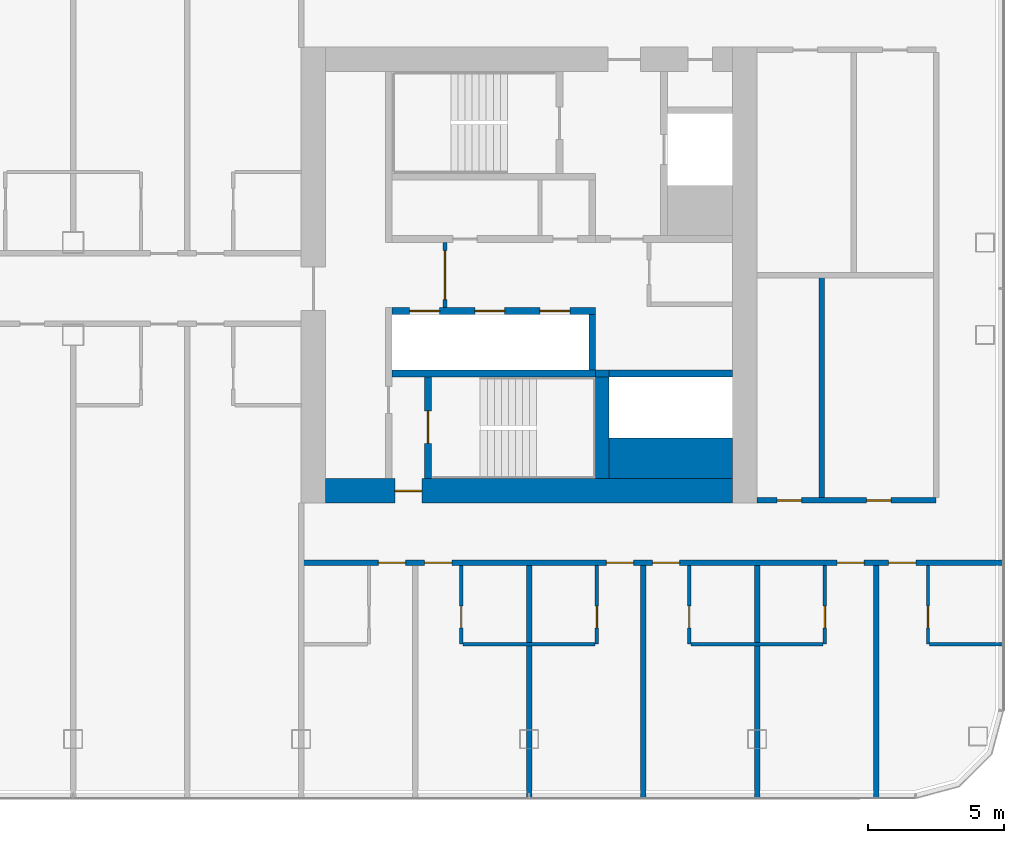
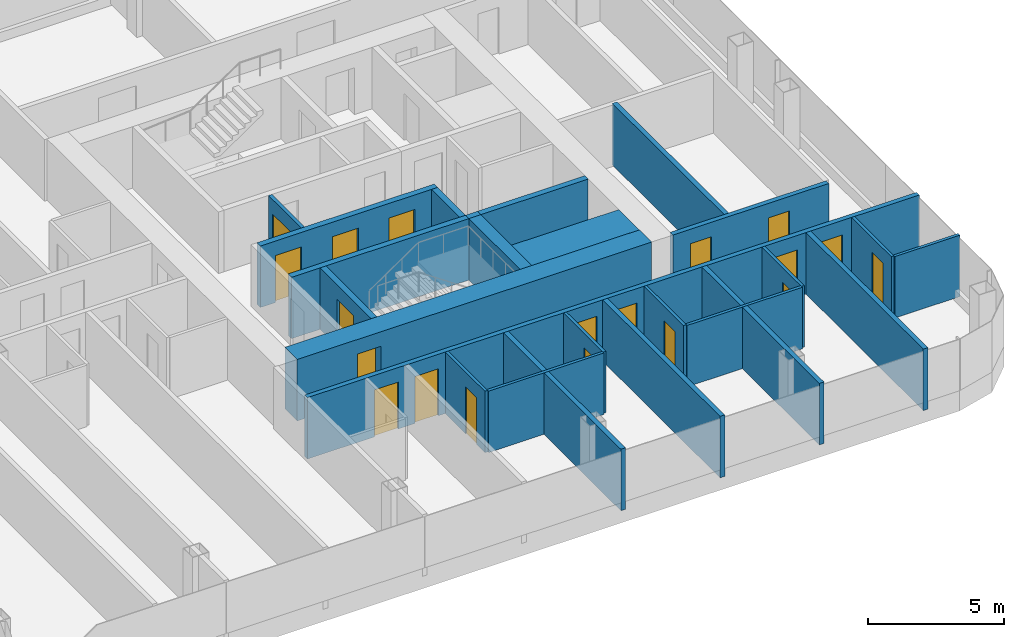
# One storey, part 16 of 26: 25 walls, 19 doors, 19 openings.
"""IFC4 building model written with IfcOpenShell, lengths in metres."""

from ifc_helpers import new_model, si_unit, direction, frame, frame_2d, origin, place, context, subcontext, project, spatial, rectangle, extrude, material, layer, layer_set, type_object, element, fill, save


model = new_model("IFC4")

# Units and contexts
model_context = context("Model", 3, precision=1e-05, world=origin(), true_north=direction((0.0, 1.0)))
body_context = subcontext(model_context, "Body", "Model", "MODEL_VIEW")
ifc_project = project(units=[si_unit("LENGTHUNIT", "METRE"), si_unit("AREAUNIT", "SQUARE_METRE"), si_unit("VOLUMEUNIT", "CUBIC_METRE"), si_unit("PLANEANGLEUNIT", "RADIAN"), si_unit("MASSUNIT", "GRAM", prefix="KILO")], contexts=[model_context])

# Site, building, storey
site_placement = place(None, origin())
site = spatial("IfcSite", under=ifc_project, at=site_placement, CompositionType="ELEMENT")
building_placement = place(site_placement, origin())
building = spatial("IfcBuilding", under=site, at=building_placement, Name="Hakoniwa Tower and Hamabe Station Hall", CompositionType="ELEMENT")
storey_placement = place(building_placement, frame((0.0, 0.0, 134.199951171875)))
storey = spatial("IfcBuildingStorey", under=building, at=storey_placement, Name="L37", CompositionType="ELEMENT", Elevation=134.199951171875)

# Walls
ifc_material_1 = material(Name="Gypsum board partition", Category="gypsum")
ifc_layer_1 = layer(ifc_material_1, 0.125)
ifc_layer_set_1 = layer_set([ifc_layer_1], Name="Bathroom Partition 125")
wall_type_1 = type_object("IfcWallType", Name="Bathroom Partition 125", PredefinedType="PARTITIONING", material=ifc_layer_set_1)
for number, where, z_axis, x_axis, name in (
    (1, (22.762451171875, -13.60009765625, 0.0), (0.0, 0.0, 1.0), (1.0, 0.0, 0.0), "GW-L37-006"),
    (2, (31.16259765625, -13.60009765625, 0.0), (0.0, 0.0, 1.0), (1.0, 0.0, 0.0), "GW-L37-007"),
):
    element("IfcWall", number, at=place(storey_placement, frame(where, z_axis=z_axis, x_axis=x_axis)), inside=storey, type_object=wall_type_1, Name=name, PredefinedType="PARTITIONING", context=body_context, shape_type="SweptSolid", body=[
        extrude(rectangle(XDim=4.875, YDim=0.125, at=frame_2d((2.4375, 0.0))), origin(), (0.0, 0.0, 1.0), 2.75),
    ])
wall_1_placement = place(storey_placement, frame((39.96240234375, -13.60009765625, 0.0), z_axis=(0.0, 0.0, 1.0), x_axis=(1.0, 0.0, 0.0)))
element("IfcWall", 3, at=wall_1_placement, inside=storey, type_object=wall_type_1, Name="GW-L37-008", PredefinedType="PARTITIONING", context=body_context, shape_type="SweptSolid", body=[
    extrude(rectangle(XDim=2.737548828125, YDim=0.125, at=frame_2d((1.36865234375, 0.0))), origin(), (0.0, 0.0, 1.0), 2.75),
])

# Wall, opening, door
wall_2_placement = place(storey_placement, frame((22.699951171875, -13.60009765625, 0.0), z_axis=(0.0, 0.0, 1.0), x_axis=(0.0, 1.0, 0.0)))
wall_2 = element("IfcWall", 4, at=wall_2_placement, inside=storey, type_object=wall_type_1, Name="GW-L37-086", PredefinedType="PARTITIONING", context=body_context, shape_type="SweptSolid", body=[
    extrude(rectangle(XDim=2.900146484375, YDim=0.125, at=frame_2d((1.4501953125, 0.0))), origin(), (0.0, 0.0, 1.0), 2.75),
])
opening_1_placement = place(wall_2_placement, frame((0.60009765625, 0.0, 0.0)))
opening_1 = element("IfcOpeningElement", 5, at=opening_1_placement, cuts=wall_2, Name="Opening GD-G3B0-66", PredefinedType="OPENING", context=body_context, shape_type="SweptSolid", body=[
    extrude(rectangle(XDim=0.800048828125, YDim=2.10009765625, at=frame_2d((0.39990234375, 1.050048828125))), frame((0.0, 0.072509765625, 0.0), z_axis=(0.0, -1.0, 0.0), x_axis=(1.0, 0.0, 0.0)), (0.0, 0.0, 1.0), 0.14501953125),
])
ifc_material_2 = material(Name="Timber door leaf", Category="wood")
door_type_1 = type_object("IfcDoorType", Name="Bathroom Door 800", OperationType="SINGLE_SWING_LEFT", PredefinedType="DOOR", material=ifc_material_2)
door_1_placement = place(opening_1_placement, origin())
door_1 = element("IfcDoor", 6, at=door_1_placement, inside=storey, type_object=door_type_1, Name="Door GD-G3B0-66", OperationType="SINGLE_SWING_LEFT", OverallHeight=2.10009765625, OverallWidth=0.800048828125, PredefinedType="DOOR", context=body_context, shape_type="SweptSolid", body=[
    extrude(rectangle(XDim=0.800048828125, YDim=2.10009765625, at=frame_2d((0.39990234375, 1.050048828125))), frame((0.0, 0.02490234375, 0.0), z_axis=(0.0, -1.0, 0.0), x_axis=(1.0, 0.0, 0.0)), (0.0, 0.0, 1.0), 0.050048828125),
])
fill(opening_1, door_1)

wall_3_placement = place(storey_placement, frame((27.699951171875, -13.60009765625, 0.0), z_axis=(0.0, 0.0, 1.0), x_axis=(0.0, 1.0, 0.0)))
wall_3 = element("IfcWall", 7, at=wall_3_placement, inside=storey, type_object=wall_type_1, Name="GW-L37-089", PredefinedType="PARTITIONING", context=body_context, shape_type="SweptSolid", body=[
    extrude(rectangle(XDim=2.900146484375, YDim=0.125, at=frame_2d((1.4501953125, 0.0))), origin(), (0.0, 0.0, 1.0), 2.75),
])
opening_2_placement = place(wall_3_placement, frame((0.60009765625, 0.0, 0.0)))
opening_2 = element("IfcOpeningElement", 8, at=opening_2_placement, cuts=wall_3, Name="Opening GD-G3B0-67", PredefinedType="OPENING", context=body_context, shape_type="SweptSolid", body=[
    extrude(rectangle(XDim=0.800048828125, YDim=2.10009765625, at=frame_2d((0.39990234375, 1.050048828125))), frame((0.0, 0.072509765625, 0.0), z_axis=(0.0, -1.0, 0.0), x_axis=(1.0, 0.0, 0.0)), (0.0, 0.0, 1.0), 0.14501953125),
])
door_2_placement = place(opening_2_placement, origin())
door_2 = element("IfcDoor", 9, at=door_2_placement, inside=storey, type_object=door_type_1, Name="Door GD-G3B0-67", OperationType="SINGLE_SWING_RIGHT", OverallHeight=2.10009765625, OverallWidth=0.800048828125, PredefinedType="DOOR", context=body_context, shape_type="SweptSolid", body=[
    extrude(rectangle(XDim=0.800048828125, YDim=2.10009765625, at=frame_2d((0.39990234375, 1.050048828125))), frame((0.0, 0.02490234375, 0.0), z_axis=(0.0, -1.0, 0.0), x_axis=(1.0, 0.0, 0.0)), (0.0, 0.0, 1.0), 0.050048828125),
])
fill(opening_2, door_2)

wall_4_placement = place(storey_placement, frame((31.10009765625, -13.60009765625, 0.0), z_axis=(0.0, 0.0, 1.0), x_axis=(0.0, 1.0, 0.0)))
wall_4 = element("IfcWall", 10, at=wall_4_placement, inside=storey, type_object=wall_type_1, Name="GW-L37-091", PredefinedType="PARTITIONING", context=body_context, shape_type="SweptSolid", body=[
    extrude(rectangle(XDim=2.900146484375, YDim=0.125, at=frame_2d((1.4501953125, 0.0))), origin(), (0.0, 0.0, 1.0), 2.75),
])
opening_3_placement = place(wall_4_placement, frame((0.60009765625, 0.0, 0.0)))
opening_3 = element("IfcOpeningElement", 11, at=opening_3_placement, cuts=wall_4, Name="Opening GD-G3B0-68", PredefinedType="OPENING", context=body_context, shape_type="SweptSolid", body=[
    extrude(rectangle(XDim=0.800048828125, YDim=2.10009765625, at=frame_2d((0.39990234375, 1.050048828125))), frame((0.0, 0.072509765625, 0.0), z_axis=(0.0, -1.0, 0.0), x_axis=(1.0, 0.0, 0.0)), (0.0, 0.0, 1.0), 0.14501953125),
])
door_3_placement = place(opening_3_placement, origin())
door_3 = element("IfcDoor", 12, at=door_3_placement, inside=storey, type_object=door_type_1, Name="Door GD-G3B0-68", OperationType="SINGLE_SWING_LEFT", OverallHeight=2.10009765625, OverallWidth=0.800048828125, PredefinedType="DOOR", context=body_context, shape_type="SweptSolid", body=[
    extrude(rectangle(XDim=0.800048828125, YDim=2.10009765625, at=frame_2d((0.39990234375, 1.050048828125))), frame((0.0, 0.02490234375, 0.0), z_axis=(0.0, -1.0, 0.0), x_axis=(1.0, 0.0, 0.0)), (0.0, 0.0, 1.0), 0.050048828125),
])
fill(opening_3, door_3)

wall_5_placement = place(storey_placement, frame((36.10009765625, -13.60009765625, 0.0), z_axis=(0.0, 0.0, 1.0), x_axis=(0.0, 1.0, 0.0)))
wall_5 = element("IfcWall", 13, at=wall_5_placement, inside=storey, type_object=wall_type_1, Name="GW-L37-095", PredefinedType="PARTITIONING", context=body_context, shape_type="SweptSolid", body=[
    extrude(rectangle(XDim=2.900146484375, YDim=0.125, at=frame_2d((1.4501953125, 0.0))), origin(), (0.0, 0.0, 1.0), 2.75),
])
opening_4_placement = place(wall_5_placement, frame((0.60009765625, 0.0, 0.0)))
opening_4 = element("IfcOpeningElement", 14, at=opening_4_placement, cuts=wall_5, Name="Opening GD-G3B0-69", PredefinedType="OPENING", context=body_context, shape_type="SweptSolid", body=[
    extrude(rectangle(XDim=0.800048828125, YDim=2.10009765625, at=frame_2d((0.39990234375, 1.050048828125))), frame((0.0, 0.072509765625, 0.0), z_axis=(0.0, -1.0, 0.0), x_axis=(1.0, 0.0, 0.0)), (0.0, 0.0, 1.0), 0.14501953125),
])
door_4_placement = place(opening_4_placement, origin())
door_4 = element("IfcDoor", 15, at=door_4_placement, inside=storey, type_object=door_type_1, Name="Door GD-G3B0-69", OperationType="SINGLE_SWING_RIGHT", OverallHeight=2.10009765625, OverallWidth=0.800048828125, PredefinedType="DOOR", context=body_context, shape_type="SweptSolid", body=[
    extrude(rectangle(XDim=0.800048828125, YDim=2.10009765625, at=frame_2d((0.39990234375, 1.050048828125))), frame((0.0, 0.02490234375, 0.0), z_axis=(0.0, -1.0, 0.0), x_axis=(1.0, 0.0, 0.0)), (0.0, 0.0, 1.0), 0.050048828125),
])
fill(opening_4, door_4)

wall_6_placement = place(storey_placement, frame((39.89990234375, -13.60009765625, 0.0), z_axis=(0.0, 0.0, 1.0), x_axis=(0.0, 1.0, 0.0)))
wall_6 = element("IfcWall", 16, at=wall_6_placement, inside=storey, type_object=wall_type_1, Name="GW-L37-098", PredefinedType="PARTITIONING", context=body_context, shape_type="SweptSolid", body=[
    extrude(rectangle(XDim=2.900146484375, YDim=0.125, at=frame_2d((1.4501953125, 0.0))), origin(), (0.0, 0.0, 1.0), 2.75),
])
opening_5_placement = place(wall_6_placement, frame((0.60009765625, 0.0, 0.0)))
opening_5 = element("IfcOpeningElement", 17, at=opening_5_placement, cuts=wall_6, Name="Opening GD-G3B0-70", PredefinedType="OPENING", context=body_context, shape_type="SweptSolid", body=[
    extrude(rectangle(XDim=0.800048828125, YDim=2.10009765625, at=frame_2d((0.39990234375, 1.050048828125))), frame((0.0, 0.072509765625, 0.0), z_axis=(0.0, -1.0, 0.0), x_axis=(1.0, 0.0, 0.0)), (0.0, 0.0, 1.0), 0.14501953125),
])
door_5_placement = place(opening_5_placement, origin())
door_5 = element("IfcDoor", 18, at=door_5_placement, inside=storey, type_object=door_type_1, Name="Door GD-G3B0-70", OperationType="SINGLE_SWING_LEFT", OverallHeight=2.10009765625, OverallWidth=0.800048828125, PredefinedType="DOOR", context=body_context, shape_type="SweptSolid", body=[
    extrude(rectangle(XDim=0.800048828125, YDim=2.10009765625, at=frame_2d((0.39990234375, 1.050048828125))), frame((0.0, 0.02490234375, 0.0), z_axis=(0.0, -1.0, 0.0), x_axis=(1.0, 0.0, 0.0)), (0.0, 0.0, 1.0), 0.050048828125),
])
fill(opening_5, door_5)

ifc_material_3 = material(Name="Gypsum board partition")
ifc_layer_2 = layer(ifc_material_3, 0.14990234375)
ifc_layer_set_2 = layer_set([ifc_layer_2], Name="CORE PARTITION 150 EI 60")
wall_type_2 = type_object("IfcWallType", Name="CORE PARTITION 150 EI 60", PredefinedType="PARTITIONING", material=ifc_layer_set_2)
wall_7_placement = place(storey_placement, frame((22.10009765625, -1.199951171875, 0.0), z_axis=(0.0, 0.0, 1.0), x_axis=(0.0, 1.0, 0.0)))
wall_7 = element("IfcWall", 19, at=wall_7_placement, inside=storey, type_object=wall_type_2, Name="Core partition PL0 east", PredefinedType="PARTITIONING", context=body_context, shape_type="SweptSolid", body=[
    extrude(rectangle(XDim=2.39990234375, YDim=0.14990234375, at=frame_2d((1.199951171875, 0.0))), origin(), (0.0, 0.0, 1.0), 2.75),
])
opening_6_placement = place(wall_7_placement, frame((0.300048828125, 0.0, 0.0)))
opening_6 = element("IfcOpeningElement", 20, at=opening_6_placement, cuts=wall_7, Name="Opening CD-E-LP0-18", PredefinedType="OPENING", context=body_context, shape_type="SweptSolid", body=[
    extrude(rectangle(XDim=1.800048828125, YDim=2.10009765625, at=frame_2d((0.89990234375, 1.050048828125))), frame((0.0, 0.0849609375, 0.0), z_axis=(0.0, -1.0, 0.0), x_axis=(1.0, 0.0, 0.0)), (0.0, 0.0, 1.0), 0.169921875),
])
ifc_material_4 = material(Name="Steel fire door", Category="steel")
door_type_2 = type_object("IfcDoorType", Name="CORE DOOR 1800 FD60", OperationType="DOUBLE_DOOR_SINGLE_SWING", PredefinedType="DOOR", material=ifc_material_4)
door_6_placement = place(opening_6_placement, origin())
door_6 = element("IfcDoor", 21, at=door_6_placement, inside=storey, type_object=door_type_2, Name="Lift lobby partition door", OperationType="DOUBLE_DOOR_SINGLE_SWING", OverallHeight=2.10009765625, OverallWidth=1.800048828125, PredefinedType="DOOR", context=body_context, shape_type="SweptSolid", body=[
    extrude(rectangle(XDim=1.800048828125, YDim=2.10009765625, at=frame_2d((0.89990234375, 1.050048828125))), frame((0.0, 0.02490234375, 0.0), z_axis=(0.0, -1.0, 0.0), x_axis=(1.0, 0.0, 0.0)), (0.0, 0.0, 1.0), 0.050048828125),
])
fill(opening_6, door_6)

ifc_material_5 = material(Name="Concrete C66", Category="concrete")
ifc_layer_3 = layer(ifc_material_5, 0.89990234375)
ifc_layer_set_3 = layer_set([ifc_layer_3], Name="CORE WALL 900 C66")
wall_type_3 = type_object("IfcWallType", Name="CORE WALL 900 C66", PredefinedType="SHEAR", material=ifc_layer_set_3)
wall_8_placement = place(storey_placement, frame((17.699951171875, -7.949951171875, 0.0), z_axis=(0.0, 0.0, 1.0), x_axis=(1.0, 0.0, 0.0)))
wall_8 = element("IfcWall", 22, at=wall_8_placement, inside=storey, type_object=wall_type_3, Name="Core wall SOUTH east", PredefinedType="SHEAR", context=body_context, shape_type="SweptSolid", body=[
    extrude(rectangle(XDim=15.0, YDim=0.89990234375, at=frame_2d((7.5, 0.0))), origin(), (0.0, 0.0, 1.0), 2.75),
])
opening_7_placement = place(wall_8_placement, frame((2.550048828125, 0.0, 0.0)))
opening_7 = element("IfcOpeningElement", 23, at=opening_7_placement, cuts=wall_8, Name="Opening CD-E-FS3-10", PredefinedType="OPENING", context=body_context, shape_type="SweptSolid", body=[
    extrude(rectangle(XDim=1.0, YDim=2.10009765625, at=frame_2d((0.5, 1.050048828125))), frame((0.0, 0.4599609375, 0.0), z_axis=(0.0, -1.0, 0.0), x_axis=(1.0, 0.0, 0.0)), (0.0, 0.0, 1.0), 0.919921875),
])
ifc_material_6 = material(Name="Steel fire door", Category="steel")
door_type_3 = type_object("IfcDoorType", Name="CORE DOOR 1000 FD60", OperationType="NOTDEFINED", PredefinedType="DOOR", material=ifc_material_6)
door_7_placement = place(opening_7_placement, origin())
door_7 = element("IfcDoor", 24, at=door_7_placement, inside=storey, type_object=door_type_3, Name="Stair vestibule door", OperationType="SINGLE_SWING_RIGHT", OverallHeight=2.10009765625, OverallWidth=1.0, PredefinedType="DOOR", context=body_context, shape_type="SweptSolid", body=[
    extrude(rectangle(XDim=1.0, YDim=2.10009765625, at=frame_2d((0.5, 1.050048828125))), frame((0.0, 0.02490234375, 0.0), z_axis=(0.0, -1.0, 0.0), x_axis=(1.0, 0.0, 0.0)), (0.0, 0.0, 1.0), 0.050048828125),
])
fill(opening_7, door_7)

# Wall
ifc_material_7 = material(Name="Concrete C66", Category="concrete")
ifc_layer_4 = layer(ifc_material_7, 1.5)
ifc_layer_set_4 = layer_set([ifc_layer_4], Name="CORE WEB WALL 1500 C66")
wall_type_4 = type_object("IfcWallType", Name="CORE WEB WALL 1500 C66", PredefinedType="SHEAR", material=ifc_layer_set_4)
wall_9_placement = place(storey_placement, frame((28.14990234375, -6.75, 0.0), z_axis=(0.0, 0.0, 1.0), x_axis=(1.0, 0.0, 0.0)))
element("IfcWall", 25, at=wall_9_placement, inside=storey, type_object=wall_type_4, Name="Core wall SER east", PredefinedType="SHEAR", context=body_context, shape_type="SweptSolid", body=[
    extrude(rectangle(XDim=4.550048828125, YDim=1.5, at=frame_2d((2.27490234375, 0.0))), origin(), (0.0, 0.0, 1.0), 2.75),
])

# Wall, openings, doors
ifc_material_8 = material(Name="Concrete C66", Category="concrete")
ifc_layer_5 = layer(ifc_material_8, 0.25)
ifc_layer_set_5 = layer_set([ifc_layer_5], Name="CORE WEB WALL 250 C66")
wall_type_5 = type_object("IfcWallType", Name="CORE WEB WALL 250 C66", PredefinedType="SHEAR", material=ifc_layer_set_5)
wall_10_placement = place(storey_placement, frame((20.14990234375, -1.324951171875, 0.0), z_axis=(0.0, 0.0, 1.0), x_axis=(1.0, 0.0, 0.0)))
wall_10 = element("IfcWall", 26, at=wall_10_placement, inside=storey, type_object=wall_type_5, Name="Core wall SF east", PredefinedType="SHEAR", context=body_context, shape_type="SweptSolid", body=[
    extrude(rectangle(XDim=7.5, YDim=0.25, at=frame_2d((3.75, 0.0))), origin(), (0.0, 0.0, 1.0), 2.75),
])
opening_8_placement = place(wall_10_placement, frame((0.64990234375, 0.0, 0.0)))
opening_8 = element("IfcOpeningElement", 27, at=opening_8_placement, cuts=wall_10, Name="Opening LD-HR4", PredefinedType="OPENING", context=body_context, shape_type="SweptSolid", body=[
    extrude(rectangle(XDim=1.10009765625, YDim=2.10009765625, at=frame_2d((0.550048828125, 1.050048828125))), frame((0.0, 0.135009765625, 0.0), z_axis=(0.0, -1.0, 0.0), x_axis=(1.0, 0.0, 0.0)), (0.0, 0.0, 1.0), 0.27001953125),
])
opening_9_placement = place(wall_10_placement, frame((3.050048828125, 0.0, 0.0)))
opening_9 = element("IfcOpeningElement", 28, at=opening_9_placement, cuts=wall_10, Name="Opening LD-HR5", PredefinedType="OPENING", context=body_context, shape_type="SweptSolid", body=[
    extrude(rectangle(XDim=1.10009765625, YDim=2.10009765625, at=frame_2d((0.550048828125, 1.050048828125))), frame((0.0, 0.135009765625, 0.0), z_axis=(0.0, -1.0, 0.0), x_axis=(1.0, 0.0, 0.0)), (0.0, 0.0, 1.0), 0.27001953125),
])
opening_10_placement = place(wall_10_placement, frame((5.449951171875, 0.0, 0.0)))
opening_10 = element("IfcOpeningElement", 29, at=opening_10_placement, cuts=wall_10, Name="Opening LD-HR6", PredefinedType="OPENING", context=body_context, shape_type="SweptSolid", body=[
    extrude(rectangle(XDim=1.10009765625, YDim=2.10009765625, at=frame_2d((0.550048828125, 1.050048828125))), frame((0.0, 0.135009765625, 0.0), z_axis=(0.0, -1.0, 0.0), x_axis=(1.0, 0.0, 0.0)), (0.0, 0.0, 1.0), 0.27001953125),
])
ifc_material_9 = material(Name="Stainless steel SUS304", Category="steel")
door_type_4 = type_object("IfcDoorType", Name="LIFT LANDING DOOR 1100 FD60", OperationType="DOUBLE_DOOR_SLIDING", PredefinedType="DOOR", material=ifc_material_9)
door_8_placement = place(opening_8_placement, origin())
door_8 = element("IfcDoor", 30, at=door_8_placement, inside=storey, type_object=door_type_4, Name="Lift landing door HR4 L37", OperationType="DOUBLE_DOOR_SLIDING", OverallHeight=2.10009765625, OverallWidth=1.10009765625, PredefinedType="DOOR", context=body_context, shape_type="SweptSolid", body=[
    extrude(rectangle(XDim=1.10009765625, YDim=2.10009765625, at=frame_2d((0.550048828125, 1.050048828125))), frame((0.0, 0.02490234375, 0.0), z_axis=(0.0, -1.0, 0.0), x_axis=(1.0, 0.0, 0.0)), (0.0, 0.0, 1.0), 0.050048828125),
])
fill(opening_8, door_8)
door_9_placement = place(opening_9_placement, origin())
door_9 = element("IfcDoor", 31, at=door_9_placement, inside=storey, type_object=door_type_4, Name="Lift landing door HR5 L37", OperationType="DOUBLE_DOOR_SLIDING", OverallHeight=2.10009765625, OverallWidth=1.10009765625, PredefinedType="DOOR", context=body_context, shape_type="SweptSolid", body=[
    extrude(rectangle(XDim=1.10009765625, YDim=2.10009765625, at=frame_2d((0.550048828125, 1.050048828125))), frame((0.0, 0.02490234375, 0.0), z_axis=(0.0, -1.0, 0.0), x_axis=(1.0, 0.0, 0.0)), (0.0, 0.0, 1.0), 0.050048828125),
])
fill(opening_9, door_9)
door_10_placement = place(opening_10_placement, origin())
door_10 = element("IfcDoor", 32, at=door_10_placement, inside=storey, type_object=door_type_4, Name="Lift landing door HR6 L37", OperationType="DOUBLE_DOOR_SLIDING", OverallHeight=2.10009765625, OverallWidth=1.10009765625, PredefinedType="DOOR", context=body_context, shape_type="SweptSolid", body=[
    extrude(rectangle(XDim=1.10009765625, YDim=2.10009765625, at=frame_2d((0.550048828125, 1.050048828125))), frame((0.0, 0.02490234375, 0.0), z_axis=(0.0, -1.0, 0.0), x_axis=(1.0, 0.0, 0.0)), (0.0, 0.0, 1.0), 0.050048828125),
])
fill(opening_10, door_10)

# Walls
wall_11_placement = place(storey_placement, frame((27.52490234375, -3.5, 0.0), z_axis=(0.0, 0.0, 1.0), x_axis=(0.0, 1.0, 0.0)))
element("IfcWall", 33, at=wall_11_placement, inside=storey, type_object=wall_type_5, Name="Core wall SE east", PredefinedType="SHEAR", context=body_context, shape_type="SweptSolid", body=[
    extrude(rectangle(XDim=2.050048828125, YDim=0.25, at=frame_2d((1.02490234375, 0.0))), origin(), (0.0, 0.0, 1.0), 2.75),
])
wall_12_placement = place(storey_placement, frame((20.14990234375, -3.625, 0.0), z_axis=(0.0, 0.0, 1.0), x_axis=(1.0, 0.0, 0.0)))
element("IfcWall", 34, at=wall_12_placement, inside=storey, type_object=wall_type_5, Name="Core wall SR east", PredefinedType="SHEAR", context=body_context, shape_type="SweptSolid", body=[
    extrude(rectangle(XDim=7.5, YDim=0.25, at=frame_2d((3.75, 0.0))), origin(), (0.0, 0.0, 1.0), 2.75),
])

# Wall, opening, door
wall_13_placement = place(storey_placement, frame((21.47509765625, -7.5, 0.0), z_axis=(0.0, 0.0, 1.0), x_axis=(0.0, 1.0, 0.0)))
wall_13 = element("IfcWall", 35, at=wall_13_placement, inside=storey, type_object=wall_type_5, Name="Core wall VE east", PredefinedType="SHEAR", context=body_context, shape_type="SweptSolid", body=[
    extrude(rectangle(XDim=3.75, YDim=0.25, at=frame_2d((1.875, 0.0))), origin(), (0.0, 0.0, 1.0), 2.75),
])
opening_11_placement = place(wall_13_placement, frame((1.300048828125, 0.0, 0.0)))
opening_11 = element("IfcOpeningElement", 36, at=opening_11_placement, cuts=wall_13, Name="Opening CD-E-SS-12", PredefinedType="OPENING", context=body_context, shape_type="SweptSolid", body=[
    extrude(rectangle(XDim=1.199951171875, YDim=2.10009765625, at=frame_2d((0.60009765625, 1.050048828125))), frame((0.0, 0.135009765625, 0.0), z_axis=(0.0, -1.0, 0.0), x_axis=(1.0, 0.0, 0.0)), (0.0, 0.0, 1.0), 0.27001953125),
])
ifc_material_10 = material(Name="Steel fire door", Category="steel")
door_type_5 = type_object("IfcDoorType", Name="CORE DOOR 1200 FD60", OperationType="DOUBLE_DOOR_SINGLE_SWING", PredefinedType="DOOR", material=ifc_material_10)
door_11_placement = place(opening_11_placement, origin())
door_11 = element("IfcDoor", 37, at=door_11_placement, inside=storey, type_object=door_type_5, Name="Escape stair door", OperationType="DOUBLE_DOOR_SINGLE_SWING", OverallHeight=2.10009765625, OverallWidth=1.199951171875, PredefinedType="DOOR", context=body_context, shape_type="SweptSolid", body=[
    extrude(rectangle(XDim=1.199951171875, YDim=2.10009765625, at=frame_2d((0.60009765625, 1.050048828125))), frame((0.0, 0.02490234375, 0.0), z_axis=(0.0, -1.0, 0.0), x_axis=(1.0, 0.0, 0.0)), (0.0, 0.0, 1.0), 0.050048828125),
])
fill(opening_11, door_11)

# Walls
wall_14_placement = place(storey_placement, frame((28.14990234375, -3.625, 0.0), z_axis=(0.0, 0.0, 1.0), x_axis=(1.0, 0.0, 0.0)))
element("IfcWall", 38, at=wall_14_placement, inside=storey, type_object=wall_type_5, Name="Core wall SEF east", PredefinedType="SHEAR", context=body_context, shape_type="SweptSolid", body=[
    extrude(rectangle(XDim=4.550048828125, YDim=0.25, at=frame_2d((2.27490234375, 0.0))), origin(), (0.0, 0.0, 1.0), 2.75),
])
wall_15_placement = place(storey_placement, frame((27.64990234375, -3.625, 0.0), z_axis=(0.0, 0.0, 1.0), x_axis=(1.0, 0.0, 0.0)))
element("IfcWall", 39, at=wall_15_placement, inside=storey, type_object=wall_type_5, Name="Core wall SRK east", PredefinedType="SHEAR", context=body_context, shape_type="SweptSolid", body=[
    extrude(rectangle(XDim=0.5, YDim=0.25, at=frame_2d((0.25, 0.0))), origin(), (0.0, 0.0, 1.0), 2.75),
])
ifc_material_11 = material(Name="Concrete C66", Category="concrete")
ifc_layer_6 = layer(ifc_material_11, 0.5)
ifc_layer_set_6 = layer_set([ifc_layer_6], Name="CORE WEB WALL 500 C66")
wall_type_6 = type_object("IfcWallType", Name="CORE WEB WALL 500 C66", PredefinedType="SHEAR", material=ifc_layer_set_6)
wall_16_placement = place(storey_placement, frame((27.89990234375, -7.5, 0.0), z_axis=(0.0, 0.0, 1.0), x_axis=(0.0, 1.0, 0.0)))
element("IfcWall", 40, at=wall_16_placement, inside=storey, type_object=wall_type_6, Name="Core wall SSE east", PredefinedType="SHEAR", context=body_context, shape_type="SweptSolid", body=[
    extrude(rectangle(XDim=3.75, YDim=0.5, at=frame_2d((1.875, 0.0))), origin(), (0.0, 0.0, 1.0), 2.75),
])

# Wall, openings, doors
ifc_material_12 = material(Name="Fire-rated gypsum board partition", Category="gypsum")
ifc_layer_7 = layer(ifc_material_12, 0.199951171875)
ifc_layer_set_7 = layer_set([ifc_layer_7], Name="Corridor Wall 200")
wall_type_7 = type_object("IfcWallType", Name="Corridor Wall 200", PredefinedType="PARTITIONING", material=ifc_layer_set_7)
wall_17_placement = place(storey_placement, frame((16.800048828125, -10.60009765625, 0.0), z_axis=(0.0, 0.0, 1.0), x_axis=(1.0, 0.0, 0.0)))
wall_17 = element("IfcWall", 41, at=wall_17_placement, inside=storey, type_object=wall_type_7, Name="GW-L37-010", PredefinedType="PARTITIONING", context=body_context, shape_type="SweptSolid", body=[
    extrude(rectangle(XDim=25.89990234375, YDim=0.199951171875, at=frame_2d((12.949951171875, 0.0))), origin(), (0.0, 0.0, 1.0), 2.75),
])
opening_12_placement = place(wall_17_placement, frame((2.85009765625, 0.0, 0.0)))
opening_12 = element("IfcOpeningElement", 42, at=opening_12_placement, cuts=wall_17, Name="Opening GD-G3B0-07", PredefinedType="OPENING", context=body_context, shape_type="SweptSolid", body=[
    extrude(rectangle(XDim=1.0, YDim=2.10009765625, at=frame_2d((0.5, 1.050048828125))), frame((0.0, 0.10986328125, 0.0), z_axis=(0.0, -1.0, 0.0), x_axis=(1.0, 0.0, 0.0)), (0.0, 0.0, 1.0), 0.219970703125),
])
opening_13_placement = place(wall_17_placement, frame((4.550048828125, 0.0, 0.0)))
opening_13 = element("IfcOpeningElement", 43, at=opening_13_placement, cuts=wall_17, Name="Opening GD-G3B0-08", PredefinedType="OPENING", context=body_context, shape_type="SweptSolid", body=[
    extrude(rectangle(XDim=1.0, YDim=2.10009765625, at=frame_2d((0.5, 1.050048828125))), frame((0.0, 0.10986328125, 0.0), z_axis=(0.0, -1.0, 0.0), x_axis=(1.0, 0.0, 0.0)), (0.0, 0.0, 1.0), 0.219970703125),
])
opening_14_placement = place(wall_17_placement, frame((11.25, 0.0, 0.0)))
opening_14 = element("IfcOpeningElement", 44, at=opening_14_placement, cuts=wall_17, Name="Opening GD-G3B0-09", PredefinedType="OPENING", context=body_context, shape_type="SweptSolid", body=[
    extrude(rectangle(XDim=1.0, YDim=2.10009765625, at=frame_2d((0.5, 1.050048828125))), frame((0.0, 0.10986328125, 0.0), z_axis=(0.0, -1.0, 0.0), x_axis=(1.0, 0.0, 0.0)), (0.0, 0.0, 1.0), 0.219970703125),
])
opening_15_placement = place(wall_17_placement, frame((12.949951171875, 0.0, 0.0)))
opening_15 = element("IfcOpeningElement", 45, at=opening_15_placement, cuts=wall_17, Name="Opening GD-G3B0-10", PredefinedType="OPENING", context=body_context, shape_type="SweptSolid", body=[
    extrude(rectangle(XDim=1.0, YDim=2.10009765625, at=frame_2d((0.5, 1.050048828125))), frame((0.0, 0.10986328125, 0.0), z_axis=(0.0, -1.0, 0.0), x_axis=(1.0, 0.0, 0.0)), (0.0, 0.0, 1.0), 0.219970703125),
])
opening_16_placement = place(wall_17_placement, frame((19.75, 0.0, 0.0)))
opening_16 = element("IfcOpeningElement", 46, at=opening_16_placement, cuts=wall_17, Name="Opening GD-G3B0-11", PredefinedType="OPENING", context=body_context, shape_type="SweptSolid", body=[
    extrude(rectangle(XDim=1.0, YDim=2.10009765625, at=frame_2d((0.5, 1.050048828125))), frame((0.0, 0.10986328125, 0.0), z_axis=(0.0, -1.0, 0.0), x_axis=(1.0, 0.0, 0.0)), (0.0, 0.0, 1.0), 0.219970703125),
])
opening_17_placement = place(wall_17_placement, frame((21.64990234375, 0.0, 0.0)))
opening_17 = element("IfcOpeningElement", 47, at=opening_17_placement, cuts=wall_17, Name="Opening GD-G3B0-12", PredefinedType="OPENING", context=body_context, shape_type="SweptSolid", body=[
    extrude(rectangle(XDim=1.0, YDim=2.10009765625, at=frame_2d((0.5, 1.050048828125))), frame((0.0, 0.10986328125, 0.0), z_axis=(0.0, -1.0, 0.0), x_axis=(1.0, 0.0, 0.0)), (0.0, 0.0, 1.0), 0.219970703125),
])
ifc_material_13 = material(Name="Timber door leaf", Category="wood")
door_type_6 = type_object("IfcDoorType", Name="Guest Entrance Door 1000", OperationType="SINGLE_SWING_LEFT", PredefinedType="DOOR", material=ifc_material_13)
door_12_placement = place(opening_12_placement, origin())
door_12 = element("IfcDoor", 48, at=door_12_placement, inside=storey, type_object=door_type_6, Name="Door GD-G3B0-07", OperationType="SINGLE_SWING_LEFT", OverallHeight=2.10009765625, OverallWidth=1.0, PredefinedType="DOOR", context=body_context, shape_type="SweptSolid", body=[
    extrude(rectangle(XDim=1.0, YDim=2.10009765625, at=frame_2d((0.5, 1.050048828125))), frame((0.0, 0.02490234375, 0.0), z_axis=(0.0, -1.0, 0.0), x_axis=(1.0, 0.0, 0.0)), (0.0, 0.0, 1.0), 0.050048828125),
])
fill(opening_12, door_12)
door_13_placement = place(opening_13_placement, origin())
door_13 = element("IfcDoor", 49, at=door_13_placement, inside=storey, type_object=door_type_6, Name="Door GD-G3B0-08", OperationType="SINGLE_SWING_RIGHT", OverallHeight=2.10009765625, OverallWidth=1.0, PredefinedType="DOOR", context=body_context, shape_type="SweptSolid", body=[
    extrude(rectangle(XDim=1.0, YDim=2.10009765625, at=frame_2d((0.5, 1.050048828125))), frame((0.0, 0.02490234375, 0.0), z_axis=(0.0, -1.0, 0.0), x_axis=(1.0, 0.0, 0.0)), (0.0, 0.0, 1.0), 0.050048828125),
])
fill(opening_13, door_13)
door_14_placement = place(opening_14_placement, origin())
door_14 = element("IfcDoor", 50, at=door_14_placement, inside=storey, type_object=door_type_6, Name="Door GD-G3B0-09", OperationType="SINGLE_SWING_LEFT", OverallHeight=2.10009765625, OverallWidth=1.0, PredefinedType="DOOR", context=body_context, shape_type="SweptSolid", body=[
    extrude(rectangle(XDim=1.0, YDim=2.10009765625, at=frame_2d((0.5, 1.050048828125))), frame((0.0, 0.02490234375, 0.0), z_axis=(0.0, -1.0, 0.0), x_axis=(1.0, 0.0, 0.0)), (0.0, 0.0, 1.0), 0.050048828125),
])
fill(opening_14, door_14)
door_15_placement = place(opening_15_placement, origin())
door_15 = element("IfcDoor", 51, at=door_15_placement, inside=storey, type_object=door_type_6, Name="Door GD-G3B0-10", OperationType="SINGLE_SWING_LEFT", OverallHeight=2.10009765625, OverallWidth=1.0, PredefinedType="DOOR", context=body_context, shape_type="SweptSolid", body=[
    extrude(rectangle(XDim=1.0, YDim=2.10009765625, at=frame_2d((0.5, 1.050048828125))), frame((0.0, 0.02490234375, 0.0), z_axis=(0.0, -1.0, 0.0), x_axis=(1.0, 0.0, 0.0)), (0.0, 0.0, 1.0), 0.050048828125),
])
fill(opening_15, door_15)
door_16_placement = place(opening_16_placement, origin())
door_16 = element("IfcDoor", 52, at=door_16_placement, inside=storey, type_object=door_type_6, Name="Door GD-G3B0-11", OperationType="SINGLE_SWING_RIGHT", OverallHeight=2.10009765625, OverallWidth=1.0, PredefinedType="DOOR", context=body_context, shape_type="SweptSolid", body=[
    extrude(rectangle(XDim=1.0, YDim=2.10009765625, at=frame_2d((0.5, 1.050048828125))), frame((0.0, 0.02490234375, 0.0), z_axis=(0.0, -1.0, 0.0), x_axis=(1.0, 0.0, 0.0)), (0.0, 0.0, 1.0), 0.050048828125),
])
fill(opening_16, door_16)
door_17_placement = place(opening_17_placement, origin())
door_17 = element("IfcDoor", 53, at=door_17_placement, inside=storey, type_object=door_type_6, Name="Door GD-G3B0-12", OperationType="SINGLE_SWING_LEFT", OverallHeight=2.10009765625, OverallWidth=1.0, PredefinedType="DOOR", context=body_context, shape_type="SweptSolid", body=[
    extrude(rectangle(XDim=1.0, YDim=2.10009765625, at=frame_2d((0.5, 1.050048828125))), frame((0.0, 0.02490234375, 0.0), z_axis=(0.0, -1.0, 0.0), x_axis=(1.0, 0.0, 0.0)), (0.0, 0.0, 1.0), 0.050048828125),
])
fill(opening_17, door_17)

wall_18_placement = place(storey_placement, frame((33.60009765625, -8.300048828125, 0.0), z_axis=(0.0, 0.0, 1.0), x_axis=(1.0, 0.0, 0.0)))
wall_18 = element("IfcWall", 54, at=wall_18_placement, inside=storey, type_object=wall_type_7, Name="GW-L37-012", PredefinedType="PARTITIONING", context=body_context, shape_type="SweptSolid", body=[
    extrude(rectangle(XDim=6.599853515625, YDim=0.199951171875, at=frame_2d((3.2998046875, 0.0))), origin(), (0.0, 0.0, 1.0), 2.75),
])
opening_18_placement = place(wall_18_placement, frame((0.739990234375, 0.0, 0.0)))
opening_18 = element("IfcOpeningElement", 55, at=opening_18_placement, cuts=wall_18, Name="Opening GD-G3B0-15", PredefinedType="OPENING", context=body_context, shape_type="SweptSolid", body=[
    extrude(rectangle(XDim=0.89990234375, YDim=2.10009765625, at=frame_2d((0.449951171875, 1.050048828125))), frame((0.0, 0.10986328125, 0.0), z_axis=(0.0, -1.0, 0.0), x_axis=(1.0, 0.0, 0.0)), (0.0, 0.0, 1.0), 0.219970703125),
])
opening_19_placement = place(wall_18_placement, frame((4.0400390625, 0.0, 0.0)))
opening_19 = element("IfcOpeningElement", 56, at=opening_19_placement, cuts=wall_18, Name="Opening GD-G3B0-16", PredefinedType="OPENING", context=body_context, shape_type="SweptSolid", body=[
    extrude(rectangle(XDim=0.89990234375, YDim=2.10009765625, at=frame_2d((0.449951171875, 1.050048828125))), frame((0.0, 0.10986328125, 0.0), z_axis=(0.0, -1.0, 0.0), x_axis=(1.0, 0.0, 0.0)), (0.0, 0.0, 1.0), 0.219970703125),
])
ifc_material_14 = material(Name="Timber door leaf", Category="wood")
door_type_7 = type_object("IfcDoorType", Name="Service Door 900", OperationType="SINGLE_SWING_LEFT", PredefinedType="DOOR", material=ifc_material_14)
door_18_placement = place(opening_18_placement, origin())
door_18 = element("IfcDoor", 57, at=door_18_placement, inside=storey, type_object=door_type_7, Name="Door GD-G3B0-15", OperationType="SINGLE_SWING_LEFT", OverallHeight=2.10009765625, OverallWidth=0.89990234375, PredefinedType="DOOR", context=body_context, shape_type="SweptSolid", body=[
    extrude(rectangle(XDim=0.89990234375, YDim=2.10009765625, at=frame_2d((0.449951171875, 1.050048828125))), frame((0.0, 0.02490234375, 0.0), z_axis=(0.0, -1.0, 0.0), x_axis=(1.0, 0.0, 0.0)), (0.0, 0.0, 1.0), 0.050048828125),
])
fill(opening_18, door_18)
door_19_placement = place(opening_19_placement, origin())
door_19 = element("IfcDoor", 58, at=door_19_placement, inside=storey, type_object=door_type_7, Name="Door GD-G3B0-16", OperationType="SINGLE_SWING_RIGHT", OverallHeight=2.10009765625, OverallWidth=0.89990234375, PredefinedType="DOOR", context=body_context, shape_type="SweptSolid", body=[
    extrude(rectangle(XDim=0.89990234375, YDim=2.10009765625, at=frame_2d((0.449951171875, 1.050048828125))), frame((0.0, 0.02490234375, 0.0), z_axis=(0.0, -1.0, 0.0), x_axis=(1.0, 0.0, 0.0)), (0.0, 0.0, 1.0), 0.050048828125),
])
fill(opening_19, door_19)

# Walls
ifc_material_15 = material(Name="Fire-rated gypsum board partition", Category="gypsum")
ifc_layer_8 = layer(ifc_material_15, 0.199951171875)
ifc_layer_set_8 = layer_set([ifc_layer_8], Name="Party Wall 200")
wall_type_8 = type_object("IfcWallType", Name="Party Wall 200", PredefinedType="PARTITIONING", material=ifc_layer_set_8)
for number, where, z_axis, x_axis, name in (
    (59, (25.199951171875, -19.300048828125, 0.0), (0.0, 0.0, 1.0), (0.0, 1.0, 0.0), "GW-L37-087"),
    (60, (29.39990234375, -19.300048828125, 0.0), (0.0, 0.0, 1.0), (0.0, 1.0, 0.0), "GW-L37-090"),
    (61, (33.60009765625, -19.300048828125, 0.0), (0.0, 0.0, 1.0), (0.0, 1.0, 0.0), "GW-L37-092"),
):
    element("IfcWall", number, at=place(storey_placement, frame(where, z_axis=z_axis, x_axis=x_axis)), inside=storey, type_object=wall_type_8, Name=name, PredefinedType="PARTITIONING", context=body_context, shape_type="SweptSolid", body=[
        extrude(rectangle(XDim=8.60009765625, YDim=0.199951171875, at=frame_2d((4.300048828125, 0.0))), origin(), (0.0, 0.0, 1.0), 2.75),
    ])
wall_19_placement = place(storey_placement, frame((35.97998046875, -8.199951171875, 0.0), z_axis=(0.0, 0.0, 1.0), x_axis=(0.0, 1.0, 0.0)))
element("IfcWall", 62, at=wall_19_placement, inside=storey, type_object=wall_type_8, Name="GW-L37-094", PredefinedType="PARTITIONING", context=body_context, shape_type="SweptSolid", body=[
    extrude(rectangle(XDim=8.199951171875, YDim=0.199951171875, at=frame_2d((4.10009765625, 0.0))), origin(), (0.0, 0.0, 1.0), 2.75),
])
wall_20_placement = place(storey_placement, frame((38.0, -19.300048828125, 0.0), z_axis=(0.0, 0.0, 1.0), x_axis=(0.0, 1.0, 0.0)))
element("IfcWall", 63, at=wall_20_placement, inside=storey, type_object=wall_type_8, Name="GW-L37-097", PredefinedType="PARTITIONING", context=body_context, shape_type="SweptSolid", body=[
    extrude(rectangle(XDim=8.60009765625, YDim=0.199951171875, at=frame_2d((4.300048828125, 0.0))), origin(), (0.0, 0.0, 1.0), 2.75),
])

save(model, "model.ifc")
